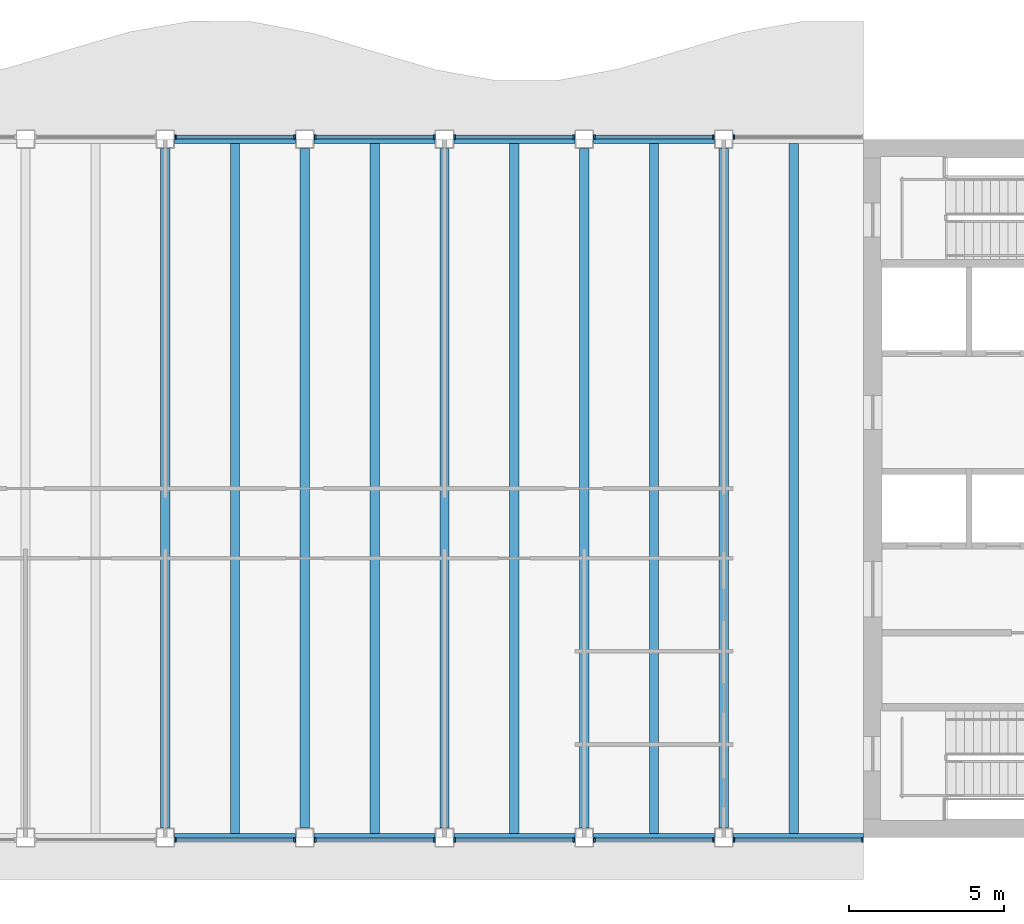
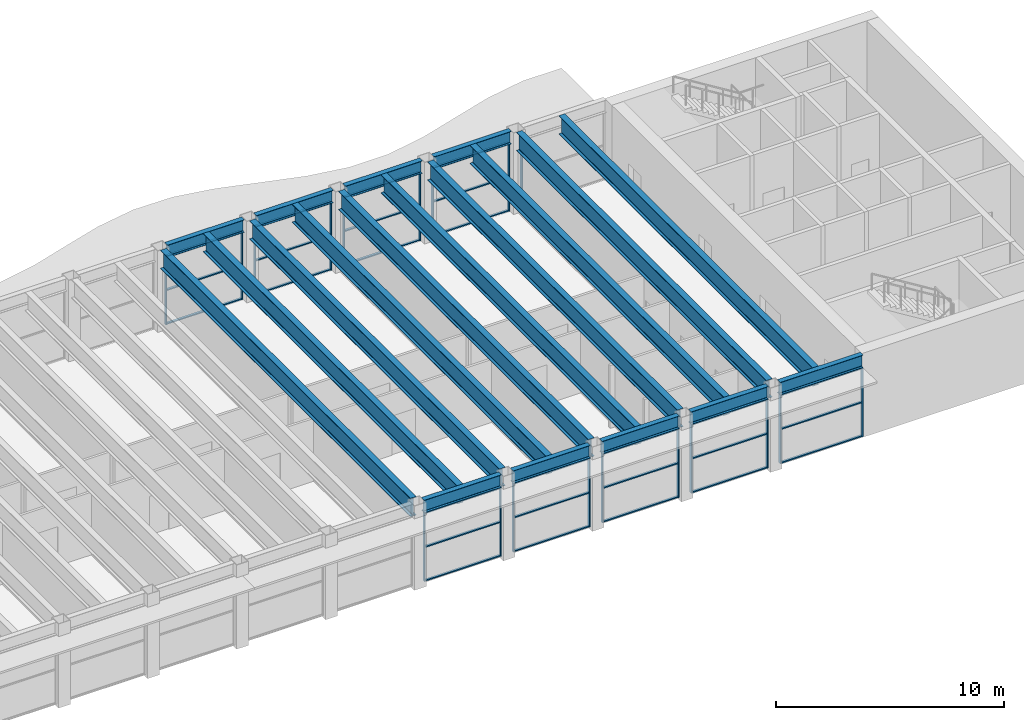
# One storey, part 5 of 14: 46 members, 19 beams, 10 elements without a shape of their own.
"""IFC4 building model written with IfcOpenShell, lengths in metres."""

from ifc_helpers import new_model, si_unit, direction, frame, origin, origin_2d, place, context, subcontext, project, spatial, rectangle, i_section, extrude, material, material_profile, profile_set, type_object, element, aggregate, save


model = new_model("IFC4")

# Units and contexts
model_context = context("Model", 3, precision=1e-05, world=origin(), true_north=direction((0.0, 1.0)))
body_context = subcontext(model_context, "Body", "Model", "MODEL_VIEW")
ifc_project = project(units=[si_unit("LENGTHUNIT", "METRE"), si_unit("AREAUNIT", "SQUARE_METRE"), si_unit("VOLUMEUNIT", "CUBIC_METRE"), si_unit("PLANEANGLEUNIT", "RADIAN"), si_unit("MASSUNIT", "GRAM", prefix="KILO")], contexts=[model_context])

# Site, building, storey
site_placement = place(None, origin())
site = spatial("IfcSite", under=ifc_project, at=site_placement, CompositionType="ELEMENT")
building_placement = place(site_placement, origin())
building = spatial("IfcBuilding", under=site, at=building_placement, Name="Sennacour Bend Tower", CompositionType="ELEMENT")
storey_placement = place(building_placement, frame((0.0, 0.0, 332.0)))
storey = spatial("IfcBuildingStorey", under=building, at=storey_placement, Name="L76", CompositionType="ELEMENT", Elevation=332.0)

# Curtain wall, members
ifc_material_1 = material(Name="Bronze anodised aluminium curtain wall with clear glass", Category="aluminium")
curtain_wall_type = type_object("IfcCurtainWallType", Name="CURTAIN WALL EXEC", PredefinedType="NOTDEFINED", material=ifc_material_1)
curtain_wall_1_placement = place(storey_placement, origin())
curtain_wall_1 = element("IfcCurtainWall", 1, at=curtain_wall_1_placement, inside=storey, type_object=curtain_wall_type, Name="Executive floor glass wall L76", PredefinedType="NOTDEFINED")
ifc_material_2 = material(Name="Aluminium 6063-T6", Category="aluminium")
ifc_material_profile_1 = material_profile(ifc_material_2, rectangle(XDim=0.14990234375, YDim=0.06005859375, at=origin_2d()), Name="Aluminium 6063-T6", Category="aluminium")
ifc_profile_set_1 = profile_set([ifc_material_profile_1], Name="Aluminium 6063-T6")
member_type_1 = type_object("IfcMemberType", Name="CW-MULLION-150X60", PredefinedType="MULLION", material=ifc_profile_set_1)
member_1_placement = place(storey_placement, frame((31.830078125, -0.074951171875, 0.0), z_axis=(0.0, 0.0, 1.0), x_axis=(0.0, 1.0, 0.0)))
member_1 = element("IfcMember", 2, at=member_1_placement, type_object=member_type_1, Name="GW3 curtain wall mullion 1", PredefinedType="MULLION", context=body_context, shape_type="SweptSolid", body=[
    extrude(rectangle(XDim=0.14990234375, YDim=0.06005859375, at=origin_2d()), origin(), (0.0, 0.0, 1.0), 3.672119140625),
])
member_2_placement = place(storey_placement, frame((35.669921875, -0.074951171875, 0.0), z_axis=(0.0, 0.0, 1.0), x_axis=(0.0, 1.0, 0.0)))
member_2 = element("IfcMember", 3, at=member_2_placement, type_object=member_type_1, Name="GW3 curtain wall mullion 2", PredefinedType="MULLION", context=body_context, shape_type="SweptSolid", body=[
    extrude(rectangle(XDim=0.14990234375, YDim=0.06005859375, at=origin_2d()), origin(), (0.0, 0.0, 1.0), 3.672119140625),
])

curtain_wall_2_placement = place(storey_placement, origin())
curtain_wall_2 = element("IfcCurtainWall", 4, at=curtain_wall_2_placement, inside=storey, type_object=curtain_wall_type, Name="Executive floor glass wall L76", PredefinedType="NOTDEFINED")
member_3_placement = place(storey_placement, frame((36.330078125, -0.074951171875, 0.0), z_axis=(0.0, 0.0, 1.0), x_axis=(0.0, 1.0, 0.0)))
member_3 = element("IfcMember", 5, at=member_3_placement, type_object=member_type_1, Name="GW3 curtain wall mullion 1", PredefinedType="MULLION", context=body_context, shape_type="SweptSolid", body=[
    extrude(rectangle(XDim=0.14990234375, YDim=0.06005859375, at=origin_2d()), origin(), (0.0, 0.0, 1.0), 3.672119140625),
])
member_4_placement = place(storey_placement, frame((40.169921875, -0.074951171875, 0.0), z_axis=(0.0, 0.0, 1.0), x_axis=(0.0, 1.0, 0.0)))
member_4 = element("IfcMember", 6, at=member_4_placement, type_object=member_type_1, Name="GW3 curtain wall mullion 2", PredefinedType="MULLION", context=body_context, shape_type="SweptSolid", body=[
    extrude(rectangle(XDim=0.14990234375, YDim=0.06005859375, at=origin_2d()), origin(), (0.0, 0.0, 1.0), 3.672119140625),
])

curtain_wall_3_placement = place(storey_placement, origin())
curtain_wall_3 = element("IfcCurtainWall", 7, at=curtain_wall_3_placement, inside=storey, type_object=curtain_wall_type, Name="Executive floor glass wall L76", PredefinedType="NOTDEFINED")
member_5_placement = place(storey_placement, frame((40.830078125, -0.074951171875, 0.0), z_axis=(0.0, 0.0, 1.0), x_axis=(0.0, 1.0, 0.0)))
member_5 = element("IfcMember", 8, at=member_5_placement, type_object=member_type_1, Name="GW3 curtain wall mullion 1", PredefinedType="MULLION", context=body_context, shape_type="SweptSolid", body=[
    extrude(rectangle(XDim=0.14990234375, YDim=0.06005859375, at=origin_2d()), origin(), (0.0, 0.0, 1.0), 3.672119140625),
])
member_6_placement = place(storey_placement, frame((44.669921875, -0.074951171875, 0.0), z_axis=(0.0, 0.0, 1.0), x_axis=(0.0, 1.0, 0.0)))
member_6 = element("IfcMember", 9, at=member_6_placement, type_object=member_type_1, Name="GW3 curtain wall mullion 2", PredefinedType="MULLION", context=body_context, shape_type="SweptSolid", body=[
    extrude(rectangle(XDim=0.14990234375, YDim=0.06005859375, at=origin_2d()), origin(), (0.0, 0.0, 1.0), 3.672119140625),
])

curtain_wall_4_placement = place(storey_placement, origin())
curtain_wall_4 = element("IfcCurtainWall", 10, at=curtain_wall_4_placement, inside=storey, type_object=curtain_wall_type, Name="Executive floor glass wall L76", PredefinedType="NOTDEFINED")
member_7_placement = place(storey_placement, frame((45.330078125, -0.074951171875, 0.0), z_axis=(0.0, 0.0, 1.0), x_axis=(0.0, 1.0, 0.0)))
member_7 = element("IfcMember", 11, at=member_7_placement, type_object=member_type_1, Name="GW3 curtain wall mullion 1", PredefinedType="MULLION", context=body_context, shape_type="SweptSolid", body=[
    extrude(rectangle(XDim=0.14990234375, YDim=0.06005859375, at=origin_2d()), origin(), (0.0, 0.0, 1.0), 3.672119140625),
])
member_8_placement = place(storey_placement, frame((49.169921875, -0.074951171875, 0.0), z_axis=(0.0, 0.0, 1.0), x_axis=(0.0, 1.0, 0.0)))
member_8 = element("IfcMember", 12, at=member_8_placement, type_object=member_type_1, Name="GW3 curtain wall mullion 2", PredefinedType="MULLION", context=body_context, shape_type="SweptSolid", body=[
    extrude(rectangle(XDim=0.14990234375, YDim=0.06005859375, at=origin_2d()), origin(), (0.0, 0.0, 1.0), 3.672119140625),
])

curtain_wall_5_placement = place(storey_placement, origin())
curtain_wall_5 = element("IfcCurtainWall", 13, at=curtain_wall_5_placement, inside=storey, type_object=curtain_wall_type, Name="Executive floor glass wall L76", PredefinedType="NOTDEFINED")
member_9_placement = place(storey_placement, frame((49.830078125, -0.074951171875, 0.0), z_axis=(0.0, 0.0, 1.0), x_axis=(0.0, 1.0, 0.0)))
member_9 = element("IfcMember", 14, at=member_9_placement, type_object=member_type_1, Name="GW3 curtain wall mullion 1", PredefinedType="MULLION", context=body_context, shape_type="SweptSolid", body=[
    extrude(rectangle(XDim=0.14990234375, YDim=0.06005859375, at=origin_2d()), origin(), (0.0, 0.0, 1.0), 3.672119140625),
])
member_10_placement = place(storey_placement, frame((53.969970703125, -0.074951171875, 0.0), z_axis=(0.0, 0.0, 1.0), x_axis=(0.0, 1.0, 0.0)))
member_10 = element("IfcMember", 15, at=member_10_placement, type_object=member_type_1, Name="GW3 curtain wall mullion 2", PredefinedType="MULLION", context=body_context, shape_type="SweptSolid", body=[
    extrude(rectangle(XDim=0.14990234375, YDim=0.06005859375, at=origin_2d()), origin(), (0.0, 0.0, 1.0), 3.672119140625),
])

# Curtain wall, member
curtain_wall_6_placement = place(storey_placement, origin())
curtain_wall_6 = element("IfcCurtainWall", 16, at=curtain_wall_6_placement, inside=storey, type_object=curtain_wall_type, Name="Executive floor glass wall L76", PredefinedType="NOTDEFINED")
member_11_placement = place(storey_placement, frame((49.830078125, 22.574951171875, 0.0), z_axis=(0.0, 0.0, 1.0), x_axis=(0.0, -1.0, 0.0)))
member_11 = element("IfcMember", 17, at=member_11_placement, type_object=member_type_1, Name="GW3 curtain wall mullion 2", PredefinedType="MULLION", context=body_context, shape_type="SweptSolid", body=[
    extrude(rectangle(XDim=0.14990234375, YDim=0.06005859375, at=origin_2d()), origin(), (0.0, 0.0, 1.0), 3.672119140625),
])
aggregate(curtain_wall_6, [member_11])

# Curtain wall, members
curtain_wall_7_placement = place(storey_placement, origin())
curtain_wall_7 = element("IfcCurtainWall", 18, at=curtain_wall_7_placement, inside=storey, type_object=curtain_wall_type, Name="Executive floor glass wall L76", PredefinedType="NOTDEFINED")
member_12_placement = place(storey_placement, frame((49.169921875, 22.574951171875, 0.0), z_axis=(0.0, 0.0, 1.0), x_axis=(0.0, -1.0, 0.0)))
member_12 = element("IfcMember", 19, at=member_12_placement, type_object=member_type_1, Name="GW3 curtain wall mullion 1", PredefinedType="MULLION", context=body_context, shape_type="SweptSolid", body=[
    extrude(rectangle(XDim=0.14990234375, YDim=0.06005859375, at=origin_2d()), origin(), (0.0, 0.0, 1.0), 3.672119140625),
])
member_13_placement = place(storey_placement, frame((45.330078125, 22.574951171875, 0.0), z_axis=(0.0, 0.0, 1.0), x_axis=(0.0, -1.0, 0.0)))
member_13 = element("IfcMember", 20, at=member_13_placement, type_object=member_type_1, Name="GW3 curtain wall mullion 2", PredefinedType="MULLION", context=body_context, shape_type="SweptSolid", body=[
    extrude(rectangle(XDim=0.14990234375, YDim=0.06005859375, at=origin_2d()), origin(), (0.0, 0.0, 1.0), 3.672119140625),
])

curtain_wall_8_placement = place(storey_placement, origin())
curtain_wall_8 = element("IfcCurtainWall", 21, at=curtain_wall_8_placement, inside=storey, type_object=curtain_wall_type, Name="Executive floor glass wall L76", PredefinedType="NOTDEFINED")
member_14_placement = place(storey_placement, frame((44.669921875, 22.574951171875, 0.0), z_axis=(0.0, 0.0, 1.0), x_axis=(0.0, -1.0, 0.0)))
member_14 = element("IfcMember", 22, at=member_14_placement, type_object=member_type_1, Name="GW3 curtain wall mullion 1", PredefinedType="MULLION", context=body_context, shape_type="SweptSolid", body=[
    extrude(rectangle(XDim=0.14990234375, YDim=0.06005859375, at=origin_2d()), origin(), (0.0, 0.0, 1.0), 3.672119140625),
])
member_15_placement = place(storey_placement, frame((40.830078125, 22.574951171875, 0.0), z_axis=(0.0, 0.0, 1.0), x_axis=(0.0, -1.0, 0.0)))
member_15 = element("IfcMember", 23, at=member_15_placement, type_object=member_type_1, Name="GW3 curtain wall mullion 2", PredefinedType="MULLION", context=body_context, shape_type="SweptSolid", body=[
    extrude(rectangle(XDim=0.14990234375, YDim=0.06005859375, at=origin_2d()), origin(), (0.0, 0.0, 1.0), 3.672119140625),
])

curtain_wall_9_placement = place(storey_placement, origin())
curtain_wall_9 = element("IfcCurtainWall", 24, at=curtain_wall_9_placement, inside=storey, type_object=curtain_wall_type, Name="Executive floor glass wall L76", PredefinedType="NOTDEFINED")
member_16_placement = place(storey_placement, frame((40.169921875, 22.574951171875, 0.0), z_axis=(0.0, 0.0, 1.0), x_axis=(0.0, -1.0, 0.0)))
member_16 = element("IfcMember", 25, at=member_16_placement, type_object=member_type_1, Name="GW3 curtain wall mullion 1", PredefinedType="MULLION", context=body_context, shape_type="SweptSolid", body=[
    extrude(rectangle(XDim=0.14990234375, YDim=0.06005859375, at=origin_2d()), origin(), (0.0, 0.0, 1.0), 3.672119140625),
])
member_17_placement = place(storey_placement, frame((36.330078125, 22.574951171875, 0.0), z_axis=(0.0, 0.0, 1.0), x_axis=(0.0, -1.0, 0.0)))
member_17 = element("IfcMember", 26, at=member_17_placement, type_object=member_type_1, Name="GW3 curtain wall mullion 2", PredefinedType="MULLION", context=body_context, shape_type="SweptSolid", body=[
    extrude(rectangle(XDim=0.14990234375, YDim=0.06005859375, at=origin_2d()), origin(), (0.0, 0.0, 1.0), 3.672119140625),
])

curtain_wall_10_placement = place(storey_placement, origin())
curtain_wall_10 = element("IfcCurtainWall", 27, at=curtain_wall_10_placement, inside=storey, type_object=curtain_wall_type, Name="Executive floor glass wall L76", PredefinedType="NOTDEFINED")
member_18_placement = place(storey_placement, frame((35.669921875, 22.574951171875, 0.0), z_axis=(0.0, 0.0, 1.0), x_axis=(0.0, -1.0, 0.0)))
member_18 = element("IfcMember", 28, at=member_18_placement, type_object=member_type_1, Name="GW3 curtain wall mullion 1", PredefinedType="MULLION", context=body_context, shape_type="SweptSolid", body=[
    extrude(rectangle(XDim=0.14990234375, YDim=0.06005859375, at=origin_2d()), origin(), (0.0, 0.0, 1.0), 3.672119140625),
])
member_19_placement = place(storey_placement, frame((31.830078125, 22.574951171875, 0.0), z_axis=(0.0, 0.0, 1.0), x_axis=(0.0, -1.0, 0.0)))
member_19 = element("IfcMember", 29, at=member_19_placement, type_object=member_type_1, Name="GW3 curtain wall mullion 2", PredefinedType="MULLION", context=body_context, shape_type="SweptSolid", body=[
    extrude(rectangle(XDim=0.14990234375, YDim=0.06005859375, at=origin_2d()), origin(), (0.0, 0.0, 1.0), 3.672119140625),
])

# Member
ifc_material_profile_2 = material_profile(ifc_material_2, rectangle(XDim=0.1201171875, YDim=0.06005859375, at=origin_2d()), Name="Aluminium 6063-T6", Category="aluminium")
ifc_profile_set_2 = profile_set([ifc_material_profile_2], Name="Aluminium 6063-T6")
member_type_2 = type_object("IfcMemberType", Name="CW-TRANSOM-120X60", PredefinedType="USERDEFINED", material=ifc_profile_set_2)
member_20_placement = place(storey_placement, frame((31.860107421875, -0.074951171875, 0.030029296875), z_axis=(1.0, 0.0, 0.0), x_axis=(0.0, 1.0, 0.0)))
member_20 = element("IfcMember", 30, at=member_20_placement, type_object=member_type_2, Name="GW3 curtain wall transom 1.1", ObjectType="TRANSOM", PredefinedType="USERDEFINED", context=body_context, shape_type="SweptSolid", body=[
    extrude(rectangle(XDim=0.1201171875, YDim=0.06005859375, at=origin_2d()), origin(), (0.0, 0.0, 1.0), 3.77978515625),
])

member_21_placement = place(storey_placement, frame((31.860107421875, -0.074951171875, 1.8359375), z_axis=(1.0, 0.0, 0.0), x_axis=(0.0, 1.0, 0.0)))
member_21 = element("IfcMember", 31, at=member_21_placement, type_object=member_type_2, Name="GW3 curtain wall transom 1.2", ObjectType="TRANSOM", PredefinedType="USERDEFINED", context=body_context, shape_type="SweptSolid", body=[
    extrude(rectangle(XDim=0.1201171875, YDim=0.06005859375, at=origin_2d()), origin(), (0.0, 0.0, 1.0), 3.77978515625),
])

member_22_placement = place(storey_placement, frame((31.860107421875, -0.074951171875, 3.64208984375), z_axis=(1.0, 0.0, 0.0), x_axis=(0.0, 1.0, 0.0)))
member_22 = element("IfcMember", 32, at=member_22_placement, type_object=member_type_2, Name="GW3 curtain wall transom 1.3", ObjectType="TRANSOM", PredefinedType="USERDEFINED", context=body_context, shape_type="SweptSolid", body=[
    extrude(rectangle(XDim=0.1201171875, YDim=0.06005859375, at=origin_2d()), origin(), (0.0, 0.0, 1.0), 3.77978515625),
])

aggregate(curtain_wall_1, [member_1, member_2, member_20, member_21, member_22])

member_23_placement = place(storey_placement, frame((36.360107421875, -0.074951171875, 0.030029296875), z_axis=(1.0, 0.0, 0.0), x_axis=(0.0, 1.0, 0.0)))
member_23 = element("IfcMember", 33, at=member_23_placement, type_object=member_type_2, Name="GW3 curtain wall transom 1.1", ObjectType="TRANSOM", PredefinedType="USERDEFINED", context=body_context, shape_type="SweptSolid", body=[
    extrude(rectangle(XDim=0.1201171875, YDim=0.06005859375, at=origin_2d()), origin(), (0.0, 0.0, 1.0), 3.77978515625),
])

member_24_placement = place(storey_placement, frame((36.360107421875, -0.074951171875, 1.8359375), z_axis=(1.0, 0.0, 0.0), x_axis=(0.0, 1.0, 0.0)))
member_24 = element("IfcMember", 34, at=member_24_placement, type_object=member_type_2, Name="GW3 curtain wall transom 1.2", ObjectType="TRANSOM", PredefinedType="USERDEFINED", context=body_context, shape_type="SweptSolid", body=[
    extrude(rectangle(XDim=0.1201171875, YDim=0.06005859375, at=origin_2d()), origin(), (0.0, 0.0, 1.0), 3.77978515625),
])

member_25_placement = place(storey_placement, frame((36.360107421875, -0.074951171875, 3.64208984375), z_axis=(1.0, 0.0, 0.0), x_axis=(0.0, 1.0, 0.0)))
member_25 = element("IfcMember", 35, at=member_25_placement, type_object=member_type_2, Name="GW3 curtain wall transom 1.3", ObjectType="TRANSOM", PredefinedType="USERDEFINED", context=body_context, shape_type="SweptSolid", body=[
    extrude(rectangle(XDim=0.1201171875, YDim=0.06005859375, at=origin_2d()), origin(), (0.0, 0.0, 1.0), 3.77978515625),
])

aggregate(curtain_wall_2, [member_3, member_4, member_23, member_24, member_25])

member_26_placement = place(storey_placement, frame((40.860107421875, -0.074951171875, 0.030029296875), z_axis=(1.0, 0.0, 0.0), x_axis=(0.0, 1.0, 0.0)))
member_26 = element("IfcMember", 36, at=member_26_placement, type_object=member_type_2, Name="GW3 curtain wall transom 1.1", ObjectType="TRANSOM", PredefinedType="USERDEFINED", context=body_context, shape_type="SweptSolid", body=[
    extrude(rectangle(XDim=0.1201171875, YDim=0.06005859375, at=origin_2d()), origin(), (0.0, 0.0, 1.0), 3.77978515625),
])

member_27_placement = place(storey_placement, frame((40.860107421875, -0.074951171875, 1.8359375), z_axis=(1.0, 0.0, 0.0), x_axis=(0.0, 1.0, 0.0)))
member_27 = element("IfcMember", 37, at=member_27_placement, type_object=member_type_2, Name="GW3 curtain wall transom 1.2", ObjectType="TRANSOM", PredefinedType="USERDEFINED", context=body_context, shape_type="SweptSolid", body=[
    extrude(rectangle(XDim=0.1201171875, YDim=0.06005859375, at=origin_2d()), origin(), (0.0, 0.0, 1.0), 3.77978515625),
])

member_28_placement = place(storey_placement, frame((40.860107421875, -0.074951171875, 3.64208984375), z_axis=(1.0, 0.0, 0.0), x_axis=(0.0, 1.0, 0.0)))
member_28 = element("IfcMember", 38, at=member_28_placement, type_object=member_type_2, Name="GW3 curtain wall transom 1.3", ObjectType="TRANSOM", PredefinedType="USERDEFINED", context=body_context, shape_type="SweptSolid", body=[
    extrude(rectangle(XDim=0.1201171875, YDim=0.06005859375, at=origin_2d()), origin(), (0.0, 0.0, 1.0), 3.77978515625),
])

aggregate(curtain_wall_3, [member_5, member_6, member_26, member_27, member_28])

member_29_placement = place(storey_placement, frame((45.360107421875, -0.074951171875, 0.030029296875), z_axis=(1.0, 0.0, 0.0), x_axis=(0.0, 1.0, 0.0)))
member_29 = element("IfcMember", 39, at=member_29_placement, type_object=member_type_2, Name="GW3 curtain wall transom 1.1", ObjectType="TRANSOM", PredefinedType="USERDEFINED", context=body_context, shape_type="SweptSolid", body=[
    extrude(rectangle(XDim=0.1201171875, YDim=0.06005859375, at=origin_2d()), origin(), (0.0, 0.0, 1.0), 3.77978515625),
])

member_30_placement = place(storey_placement, frame((45.360107421875, -0.074951171875, 1.8359375), z_axis=(1.0, 0.0, 0.0), x_axis=(0.0, 1.0, 0.0)))
member_30 = element("IfcMember", 40, at=member_30_placement, type_object=member_type_2, Name="GW3 curtain wall transom 1.2", ObjectType="TRANSOM", PredefinedType="USERDEFINED", context=body_context, shape_type="SweptSolid", body=[
    extrude(rectangle(XDim=0.1201171875, YDim=0.06005859375, at=origin_2d()), origin(), (0.0, 0.0, 1.0), 3.77978515625),
])

member_31_placement = place(storey_placement, frame((45.360107421875, -0.074951171875, 3.64208984375), z_axis=(1.0, 0.0, 0.0), x_axis=(0.0, 1.0, 0.0)))
member_31 = element("IfcMember", 41, at=member_31_placement, type_object=member_type_2, Name="GW3 curtain wall transom 1.3", ObjectType="TRANSOM", PredefinedType="USERDEFINED", context=body_context, shape_type="SweptSolid", body=[
    extrude(rectangle(XDim=0.1201171875, YDim=0.06005859375, at=origin_2d()), origin(), (0.0, 0.0, 1.0), 3.77978515625),
])

aggregate(curtain_wall_4, [member_7, member_8, member_29, member_30, member_31])

member_32_placement = place(storey_placement, frame((49.860107421875, -0.074951171875, 0.030029296875), z_axis=(1.0, 0.0, 0.0), x_axis=(0.0, 1.0, 0.0)))
member_32 = element("IfcMember", 42, at=member_32_placement, type_object=member_type_2, Name="GW3 curtain wall transom 1.1", ObjectType="TRANSOM", PredefinedType="USERDEFINED", context=body_context, shape_type="SweptSolid", body=[
    extrude(rectangle(XDim=0.1201171875, YDim=0.06005859375, at=origin_2d()), origin(), (0.0, 0.0, 1.0), 4.079833984375),
])

member_33_placement = place(storey_placement, frame((49.860107421875, -0.074951171875, 1.8359375), z_axis=(1.0, 0.0, 0.0), x_axis=(0.0, 1.0, 0.0)))
member_33 = element("IfcMember", 43, at=member_33_placement, type_object=member_type_2, Name="GW3 curtain wall transom 1.2", ObjectType="TRANSOM", PredefinedType="USERDEFINED", context=body_context, shape_type="SweptSolid", body=[
    extrude(rectangle(XDim=0.1201171875, YDim=0.06005859375, at=origin_2d()), origin(), (0.0, 0.0, 1.0), 4.079833984375),
])

member_34_placement = place(storey_placement, frame((49.860107421875, -0.074951171875, 3.64208984375), z_axis=(1.0, 0.0, 0.0), x_axis=(0.0, 1.0, 0.0)))
member_34 = element("IfcMember", 44, at=member_34_placement, type_object=member_type_2, Name="GW3 curtain wall transom 1.3", ObjectType="TRANSOM", PredefinedType="USERDEFINED", context=body_context, shape_type="SweptSolid", body=[
    extrude(rectangle(XDim=0.1201171875, YDim=0.06005859375, at=origin_2d()), origin(), (0.0, 0.0, 1.0), 4.079833984375),
])

aggregate(curtain_wall_5, [member_9, member_10, member_32, member_33, member_34])

member_35_placement = place(storey_placement, frame((49.139892578125, 22.574951171875, 0.030029296875), z_axis=(-1.0, 0.0, 0.0), x_axis=(0.0, -1.0, 0.0)))
member_35 = element("IfcMember", 45, at=member_35_placement, type_object=member_type_2, Name="GW3 curtain wall transom 1.1", ObjectType="TRANSOM", PredefinedType="USERDEFINED", context=body_context, shape_type="SweptSolid", body=[
    extrude(rectangle(XDim=0.1201171875, YDim=0.06005859375, at=origin_2d()), origin(), (0.0, 0.0, 1.0), 3.77978515625),
])

member_36_placement = place(storey_placement, frame((49.139892578125, 22.574951171875, 1.8359375), z_axis=(-1.0, 0.0, 0.0), x_axis=(0.0, -1.0, 0.0)))
member_36 = element("IfcMember", 46, at=member_36_placement, type_object=member_type_2, Name="GW3 curtain wall transom 1.2", ObjectType="TRANSOM", PredefinedType="USERDEFINED", context=body_context, shape_type="SweptSolid", body=[
    extrude(rectangle(XDim=0.1201171875, YDim=0.06005859375, at=origin_2d()), origin(), (0.0, 0.0, 1.0), 3.77978515625),
])

member_37_placement = place(storey_placement, frame((49.139892578125, 22.574951171875, 3.64208984375), z_axis=(-1.0, 0.0, 0.0), x_axis=(0.0, -1.0, 0.0)))
member_37 = element("IfcMember", 47, at=member_37_placement, type_object=member_type_2, Name="GW3 curtain wall transom 1.3", ObjectType="TRANSOM", PredefinedType="USERDEFINED", context=body_context, shape_type="SweptSolid", body=[
    extrude(rectangle(XDim=0.1201171875, YDim=0.06005859375, at=origin_2d()), origin(), (0.0, 0.0, 1.0), 3.77978515625),
])

aggregate(curtain_wall_7, [member_12, member_13, member_35, member_36, member_37])

member_38_placement = place(storey_placement, frame((44.639892578125, 22.574951171875, 0.030029296875), z_axis=(-1.0, 0.0, 0.0), x_axis=(0.0, -1.0, 0.0)))
member_38 = element("IfcMember", 48, at=member_38_placement, type_object=member_type_2, Name="GW3 curtain wall transom 1.1", ObjectType="TRANSOM", PredefinedType="USERDEFINED", context=body_context, shape_type="SweptSolid", body=[
    extrude(rectangle(XDim=0.1201171875, YDim=0.06005859375, at=origin_2d()), origin(), (0.0, 0.0, 1.0), 3.77978515625),
])

member_39_placement = place(storey_placement, frame((44.639892578125, 22.574951171875, 1.8359375), z_axis=(-1.0, 0.0, 0.0), x_axis=(0.0, -1.0, 0.0)))
member_39 = element("IfcMember", 49, at=member_39_placement, type_object=member_type_2, Name="GW3 curtain wall transom 1.2", ObjectType="TRANSOM", PredefinedType="USERDEFINED", context=body_context, shape_type="SweptSolid", body=[
    extrude(rectangle(XDim=0.1201171875, YDim=0.06005859375, at=origin_2d()), origin(), (0.0, 0.0, 1.0), 3.77978515625),
])

member_40_placement = place(storey_placement, frame((44.639892578125, 22.574951171875, 3.64208984375), z_axis=(-1.0, 0.0, 0.0), x_axis=(0.0, -1.0, 0.0)))
member_40 = element("IfcMember", 50, at=member_40_placement, type_object=member_type_2, Name="GW3 curtain wall transom 1.3", ObjectType="TRANSOM", PredefinedType="USERDEFINED", context=body_context, shape_type="SweptSolid", body=[
    extrude(rectangle(XDim=0.1201171875, YDim=0.06005859375, at=origin_2d()), origin(), (0.0, 0.0, 1.0), 3.77978515625),
])

aggregate(curtain_wall_8, [member_14, member_15, member_38, member_39, member_40])

member_41_placement = place(storey_placement, frame((40.139892578125, 22.574951171875, 0.030029296875), z_axis=(-1.0, 0.0, 0.0), x_axis=(0.0, -1.0, 0.0)))
member_41 = element("IfcMember", 51, at=member_41_placement, type_object=member_type_2, Name="GW3 curtain wall transom 1.1", ObjectType="TRANSOM", PredefinedType="USERDEFINED", context=body_context, shape_type="SweptSolid", body=[
    extrude(rectangle(XDim=0.1201171875, YDim=0.06005859375, at=origin_2d()), origin(), (0.0, 0.0, 1.0), 3.77978515625),
])

member_42_placement = place(storey_placement, frame((40.139892578125, 22.574951171875, 1.8359375), z_axis=(-1.0, 0.0, 0.0), x_axis=(0.0, -1.0, 0.0)))
member_42 = element("IfcMember", 52, at=member_42_placement, type_object=member_type_2, Name="GW3 curtain wall transom 1.2", ObjectType="TRANSOM", PredefinedType="USERDEFINED", context=body_context, shape_type="SweptSolid", body=[
    extrude(rectangle(XDim=0.1201171875, YDim=0.06005859375, at=origin_2d()), origin(), (0.0, 0.0, 1.0), 3.77978515625),
])

member_43_placement = place(storey_placement, frame((40.139892578125, 22.574951171875, 3.64208984375), z_axis=(-1.0, 0.0, 0.0), x_axis=(0.0, -1.0, 0.0)))
member_43 = element("IfcMember", 53, at=member_43_placement, type_object=member_type_2, Name="GW3 curtain wall transom 1.3", ObjectType="TRANSOM", PredefinedType="USERDEFINED", context=body_context, shape_type="SweptSolid", body=[
    extrude(rectangle(XDim=0.1201171875, YDim=0.06005859375, at=origin_2d()), origin(), (0.0, 0.0, 1.0), 3.77978515625),
])

aggregate(curtain_wall_9, [member_16, member_17, member_41, member_42, member_43])

member_44_placement = place(storey_placement, frame((35.639892578125, 22.574951171875, 0.030029296875), z_axis=(-1.0, 0.0, 0.0), x_axis=(0.0, -1.0, 0.0)))
member_44 = element("IfcMember", 54, at=member_44_placement, type_object=member_type_2, Name="GW3 curtain wall transom 1.1", ObjectType="TRANSOM", PredefinedType="USERDEFINED", context=body_context, shape_type="SweptSolid", body=[
    extrude(rectangle(XDim=0.1201171875, YDim=0.06005859375, at=origin_2d()), origin(), (0.0, 0.0, 1.0), 3.77978515625),
])

member_45_placement = place(storey_placement, frame((35.639892578125, 22.574951171875, 1.8359375), z_axis=(-1.0, 0.0, 0.0), x_axis=(0.0, -1.0, 0.0)))
member_45 = element("IfcMember", 55, at=member_45_placement, type_object=member_type_2, Name="GW3 curtain wall transom 1.2", ObjectType="TRANSOM", PredefinedType="USERDEFINED", context=body_context, shape_type="SweptSolid", body=[
    extrude(rectangle(XDim=0.1201171875, YDim=0.06005859375, at=origin_2d()), origin(), (0.0, 0.0, 1.0), 3.77978515625),
])

member_46_placement = place(storey_placement, frame((35.639892578125, 22.574951171875, 3.64208984375), z_axis=(-1.0, 0.0, 0.0), x_axis=(0.0, -1.0, 0.0)))
member_46 = element("IfcMember", 56, at=member_46_placement, type_object=member_type_2, Name="GW3 curtain wall transom 1.3", ObjectType="TRANSOM", PredefinedType="USERDEFINED", context=body_context, shape_type="SweptSolid", body=[
    extrude(rectangle(XDim=0.1201171875, YDim=0.06005859375, at=origin_2d()), origin(), (0.0, 0.0, 1.0), 3.77978515625),
])

aggregate(curtain_wall_10, [member_18, member_19, member_44, member_45, member_46])

# Beams
ifc_material_3 = material(Name="Steel ASTM A992 Grade 50", Category="steel")
ifc_material_profile_3 = material_profile(ifc_material_3, i_section(OverallWidth=0.300048828125, OverallDepth=0.990966796875, WebThickness=0.0166015625, FlangeThickness=0.030517578125, FilletRadius=0.030029296875, at=origin_2d()), Name="Steel ASTM A992 Grade 50", Category="steel")
ifc_profile_set_3 = profile_set([ifc_material_profile_3], Name="Steel ASTM A992 Grade 50")
beam_type_1 = type_object("IfcBeamType", Name="Floor beam W1000X272", PredefinedType="BEAM", material=ifc_profile_set_3)
beam_1_placement = place(storey_placement, frame((31.5, 0.300048828125, 3.8544921875), z_axis=(0.0, 1.0, 0.0), x_axis=(-1.0, 0.0, 0.0)))
element("IfcBeam", 57, at=beam_1_placement, inside=storey, type_object=beam_type_1, Name="Floor beam FBM3 L77-014", PredefinedType="BEAM", context=body_context, shape_type="SweptSolid", body=[
    extrude(i_section(OverallWidth=0.300048828125, OverallDepth=0.990966796875, WebThickness=0.0166015625, FlangeThickness=0.030517578125, FilletRadius=0.030029296875, at=origin_2d()), origin(), (0.0, 0.0, 1.0), 21.89990234375),
])
beam_2_placement = place(storey_placement, frame((33.75, 0.126953125, 3.8544921875), z_axis=(0.0, 1.0, 0.0), x_axis=(-1.0, 0.0, 0.0)))
element("IfcBeam", 58, at=beam_2_placement, inside=storey, type_object=beam_type_1, Name="Floor beam FBM3 L77-015", PredefinedType="BEAM", context=body_context, shape_type="SweptSolid", body=[
    extrude(i_section(OverallWidth=0.300048828125, OverallDepth=0.990966796875, WebThickness=0.0166015625, FlangeThickness=0.030517578125, FilletRadius=0.030029296875, at=origin_2d()), origin(), (0.0, 0.0, 1.0), 22.24609375),
])
beam_3_placement = place(storey_placement, frame((36.0, 0.300048828125, 3.8544921875), z_axis=(0.0, 1.0, 0.0), x_axis=(-1.0, 0.0, 0.0)))
element("IfcBeam", 59, at=beam_3_placement, inside=storey, type_object=beam_type_1, Name="Floor beam FBM3 L77-016", PredefinedType="BEAM", context=body_context, shape_type="SweptSolid", body=[
    extrude(i_section(OverallWidth=0.300048828125, OverallDepth=0.990966796875, WebThickness=0.0166015625, FlangeThickness=0.030517578125, FilletRadius=0.030029296875, at=origin_2d()), origin(), (0.0, 0.0, 1.0), 21.89990234375),
])
beam_4_placement = place(storey_placement, frame((38.25, 0.126953125, 3.8544921875), z_axis=(0.0, 1.0, 0.0), x_axis=(-1.0, 0.0, 0.0)))
element("IfcBeam", 60, at=beam_4_placement, inside=storey, type_object=beam_type_1, Name="Floor beam FBM3 L77-017", PredefinedType="BEAM", context=body_context, shape_type="SweptSolid", body=[
    extrude(i_section(OverallWidth=0.300048828125, OverallDepth=0.990966796875, WebThickness=0.0166015625, FlangeThickness=0.030517578125, FilletRadius=0.030029296875, at=origin_2d()), origin(), (0.0, 0.0, 1.0), 22.24609375),
])
beam_5_placement = place(storey_placement, frame((40.5, 0.300048828125, 3.8544921875), z_axis=(0.0, 1.0, 0.0), x_axis=(-1.0, 0.0, 0.0)))
element("IfcBeam", 61, at=beam_5_placement, inside=storey, type_object=beam_type_1, Name="Floor beam FBM3 L77-018", PredefinedType="BEAM", context=body_context, shape_type="SweptSolid", body=[
    extrude(i_section(OverallWidth=0.300048828125, OverallDepth=0.990966796875, WebThickness=0.0166015625, FlangeThickness=0.030517578125, FilletRadius=0.030029296875, at=origin_2d()), origin(), (0.0, 0.0, 1.0), 21.89990234375),
])
beam_6_placement = place(storey_placement, frame((42.75, 0.126953125, 3.8544921875), z_axis=(0.0, 1.0, 0.0), x_axis=(-1.0, 0.0, 0.0)))
element("IfcBeam", 62, at=beam_6_placement, inside=storey, type_object=beam_type_1, Name="Floor beam FBM3 L77-019", PredefinedType="BEAM", context=body_context, shape_type="SweptSolid", body=[
    extrude(i_section(OverallWidth=0.300048828125, OverallDepth=0.990966796875, WebThickness=0.0166015625, FlangeThickness=0.030517578125, FilletRadius=0.030029296875, at=origin_2d()), origin(), (0.0, 0.0, 1.0), 22.24609375),
])
beam_7_placement = place(storey_placement, frame((45.0, 0.300048828125, 3.8544921875), z_axis=(0.0, 1.0, 0.0), x_axis=(-1.0, 0.0, 0.0)))
element("IfcBeam", 63, at=beam_7_placement, inside=storey, type_object=beam_type_1, Name="Floor beam FBM3 L77-020", PredefinedType="BEAM", context=body_context, shape_type="SweptSolid", body=[
    extrude(i_section(OverallWidth=0.300048828125, OverallDepth=0.990966796875, WebThickness=0.0166015625, FlangeThickness=0.030517578125, FilletRadius=0.030029296875, at=origin_2d()), origin(), (0.0, 0.0, 1.0), 21.89990234375),
])
beam_8_placement = place(storey_placement, frame((47.25, 0.126953125, 3.8544921875), z_axis=(0.0, 1.0, 0.0), x_axis=(-1.0, 0.0, 0.0)))
element("IfcBeam", 64, at=beam_8_placement, inside=storey, type_object=beam_type_1, Name="Floor beam FBM3 L77-021", PredefinedType="BEAM", context=body_context, shape_type="SweptSolid", body=[
    extrude(i_section(OverallWidth=0.300048828125, OverallDepth=0.990966796875, WebThickness=0.0166015625, FlangeThickness=0.030517578125, FilletRadius=0.030029296875, at=origin_2d()), origin(), (0.0, 0.0, 1.0), 22.24609375),
])
beam_9_placement = place(storey_placement, frame((49.5, 0.300048828125, 3.8544921875), z_axis=(0.0, 1.0, 0.0), x_axis=(-1.0, 0.0, 0.0)))
element("IfcBeam", 65, at=beam_9_placement, inside=storey, type_object=beam_type_1, Name="Floor beam FBM3 L77-022", PredefinedType="BEAM", context=body_context, shape_type="SweptSolid", body=[
    extrude(i_section(OverallWidth=0.300048828125, OverallDepth=0.990966796875, WebThickness=0.0166015625, FlangeThickness=0.030517578125, FilletRadius=0.030029296875, at=origin_2d()), origin(), (0.0, 0.0, 1.0), 21.89990234375),
])
beam_10_placement = place(storey_placement, frame((51.75, 0.126953125, 3.8544921875), z_axis=(0.0, 1.0, 0.0), x_axis=(-1.0, 0.0, 0.0)))
element("IfcBeam", 66, at=beam_10_placement, inside=storey, type_object=beam_type_1, Name="Floor beam FBM3 L77-023", PredefinedType="BEAM", context=body_context, shape_type="SweptSolid", body=[
    extrude(i_section(OverallWidth=0.300048828125, OverallDepth=0.990966796875, WebThickness=0.0166015625, FlangeThickness=0.030517578125, FilletRadius=0.030029296875, at=origin_2d()), origin(), (0.0, 0.0, 1.0), 22.24609375),
])
ifc_material_profile_4 = material_profile(ifc_material_3, i_section(OverallWidth=0.25390625, OverallDepth=0.677978515625, WebThickness=0.01171875, FlangeThickness=0.016357421875, FilletRadius=0.01513671875, at=origin_2d()), Name="Steel ASTM A992 Grade 50", Category="steel")
ifc_profile_set_4 = profile_set([ifc_material_profile_4], Name="Steel ASTM A992 Grade 50")
beam_type_2 = type_object("IfcBeamType", Name="Spandrel beam W690X125", PredefinedType="SPANDREL", material=ifc_profile_set_4)
for number, where, z_axis, x_axis, name in (
    (67, (31.800048828125, 22.5, 4.010986328125), (1.0, 0.0, 0.0), (0.0, 1.0, 0.0), "Spandrel beam SP7 L77-013"),
    (68, (36.300048828125, 22.5, 4.010986328125), (1.0, 0.0, 0.0), (0.0, 1.0, 0.0), "Spandrel beam SP7 L77-014"),
    (69, (40.800048828125, 22.5, 4.010986328125), (1.0, 0.0, 0.0), (0.0, 1.0, 0.0), "Spandrel beam SP7 L77-015"),
    (70, (45.300048828125, 22.5, 4.010986328125), (1.0, 0.0, 0.0), (0.0, 1.0, 0.0), "Spandrel beam SP7 L77-016"),
):
    element("IfcBeam", number, at=place(storey_placement, frame(where, z_axis=z_axis, x_axis=x_axis)), inside=storey, type_object=beam_type_2, Name=name, PredefinedType="SPANDREL", context=body_context, shape_type="SweptSolid", body=[
        extrude(i_section(OverallWidth=0.25390625, OverallDepth=0.677978515625, WebThickness=0.01171875, FlangeThickness=0.016357421875, FilletRadius=0.01513671875, at=origin_2d()), origin(), (0.0, 0.0, 1.0), 3.89990234375),
    ])
beam_11_placement = place(storey_placement, frame((54.0, 0.0, 4.010986328125), z_axis=(-1.0, 0.0, 0.0), x_axis=(0.0, -1.0, 0.0)))
element("IfcBeam", 71, at=beam_11_placement, inside=storey, type_object=beam_type_2, Name="Spandrel beam SP7 L77-018", PredefinedType="SPANDREL", context=body_context, shape_type="SweptSolid", body=[
    extrude(i_section(OverallWidth=0.25390625, OverallDepth=0.677978515625, WebThickness=0.01171875, FlangeThickness=0.016357421875, FilletRadius=0.01513671875, at=origin_2d()), origin(), (0.0, 0.0, 1.0), 4.199951171875),
])
for number, where, z_axis, x_axis, name in (
    (72, (49.199951171875, 0.0, 4.010986328125), (-1.0, 0.0, 0.0), (0.0, -1.0, 0.0), "Spandrel beam SP7 L77-019"),
    (73, (44.699951171875, 0.0, 4.010986328125), (-1.0, 0.0, 0.0), (0.0, -1.0, 0.0), "Spandrel beam SP7 L77-020"),
    (74, (40.199951171875, 0.0, 4.010986328125), (-1.0, 0.0, 0.0), (0.0, -1.0, 0.0), "Spandrel beam SP7 L77-021"),
    (75, (35.699951171875, 0.0, 4.010986328125), (-1.0, 0.0, 0.0), (0.0, -1.0, 0.0), "Spandrel beam SP7 L77-022"),
):
    element("IfcBeam", number, at=place(storey_placement, frame(where, z_axis=z_axis, x_axis=x_axis)), inside=storey, type_object=beam_type_2, Name=name, PredefinedType="SPANDREL", context=body_context, shape_type="SweptSolid", body=[
        extrude(i_section(OverallWidth=0.25390625, OverallDepth=0.677978515625, WebThickness=0.01171875, FlangeThickness=0.016357421875, FilletRadius=0.01513671875, at=origin_2d()), origin(), (0.0, 0.0, 1.0), 3.89990234375),
    ])

save(model, "model.ifc")
